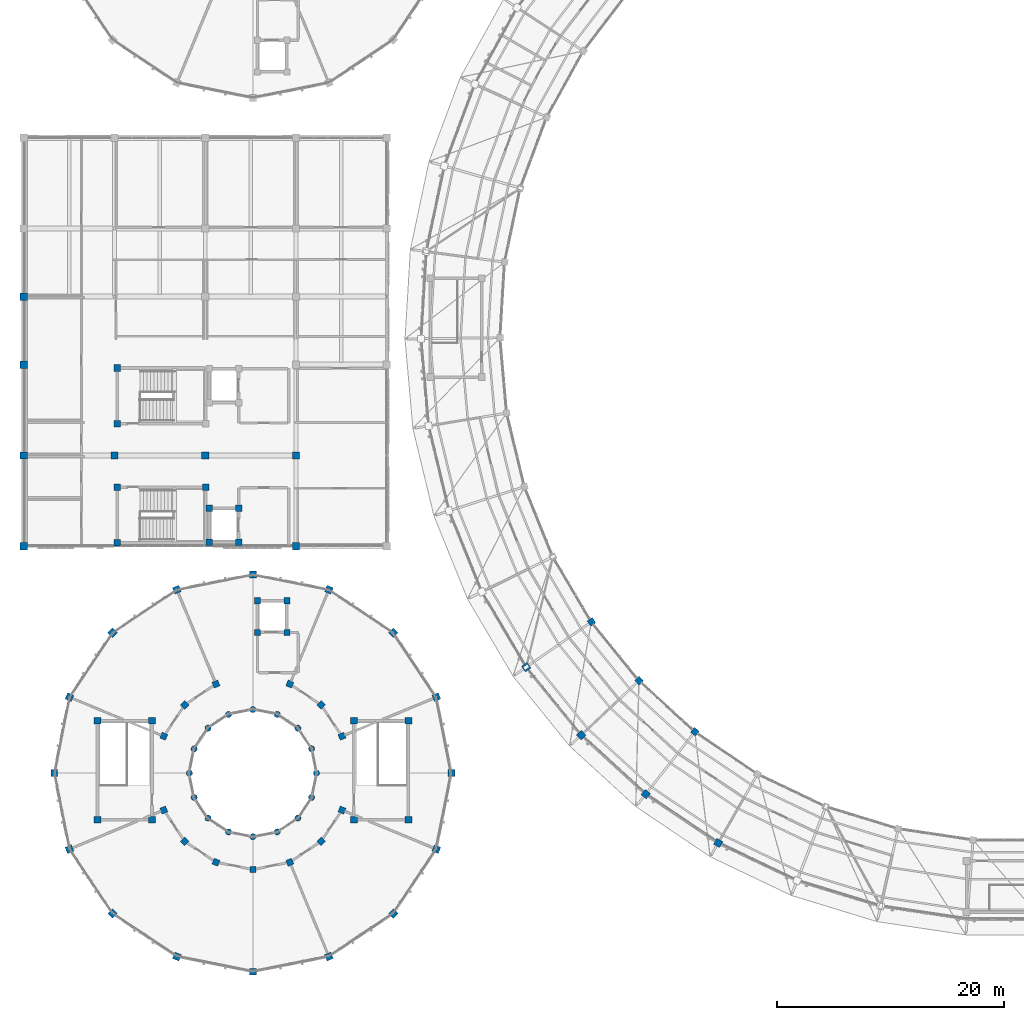
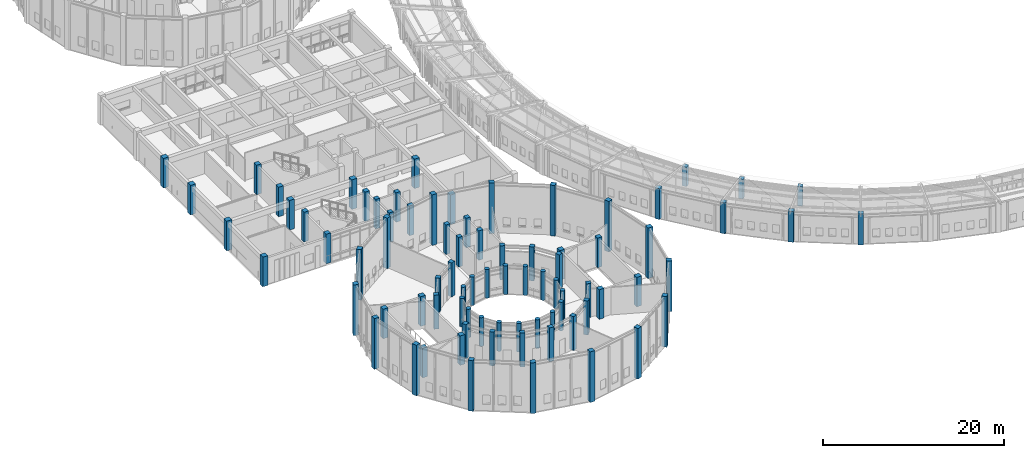
# One storey, part 1 of 149: 81 columns.
"""IFC4 building model written with IfcOpenShell, lengths in metres."""

from ifc_helpers import new_model, si_unit, direction, frame, origin, origin_2d, place, context, subcontext, project, spatial, rectangle, circle, extrude, material, material_profile, profile_set, type_object, element, save


model = new_model("IFC4")

# Units and contexts
model_context = context("Model", 3, precision=1e-05, world=origin(), true_north=direction((0.0, 1.0)))
body_context = subcontext(model_context, "Body", "Model", "MODEL_VIEW")
ifc_project = project(units=[si_unit("LENGTHUNIT", "METRE"), si_unit("AREAUNIT", "SQUARE_METRE"), si_unit("VOLUMEUNIT", "CUBIC_METRE"), si_unit("PLANEANGLEUNIT", "RADIAN"), si_unit("MASSUNIT", "GRAM", prefix="KILO")], contexts=[model_context])

# Site, building, storey
site_placement = place(None, origin())
site = spatial("IfcSite", under=ifc_project, at=site_placement, CompositionType="ELEMENT")
building_placement = place(site_placement, origin())
building = spatial("IfcBuilding", under=site, at=building_placement, Name="Celadon Cloister-Ring School", CompositionType="ELEMENT")
storey_placement = place(building_placement, frame((0.0, 0.0, 12.5)))
storey = spatial("IfcBuildingStorey", under=building, at=storey_placement, Name="L03", CompositionType="ELEMENT", Elevation=12.5)

# Columns
ifc_material_1 = material(Name="Concrete C40/50", Category="concrete")
ifc_material_profile_1 = material_profile(ifc_material_1, rectangle(XDim=0.64990234375, YDim=0.64990234375, at=origin_2d()), Name="RC650X650")
ifc_profile_set_1 = profile_set([ifc_material_profile_1], Name="Concrete C40/50")
column_type_1 = type_object("IfcColumnType", Name="CT-03", PredefinedType="COLUMN", material=ifc_profile_set_1)
for number, where, z_axis, x_axis, name in (
    (1, (16.0, 48.0, 0.0), (0.0, 0.0, 1.0), (1.0, 0.0, 0.0), "Column 1095"),
    (2, (24.0, 48.0, 0.0), (0.0, 0.0, 1.0), (1.0, 0.0, 0.0), "Column 1123"),
    (3, (8.0, 48.0, 0.0), (0.0, 0.0, 1.0), (1.0, 0.0, 0.0), "Column 1180"),
):
    element("IfcColumn", number, at=place(storey_placement, frame(where, z_axis=z_axis, x_axis=x_axis)), inside=storey, type_object=column_type_1, Name=name, PredefinedType="COLUMN", context=body_context, shape_type="SweptSolid", body=[
        extrude(rectangle(XDim=0.64990234375, YDim=0.64990234375, at=origin_2d()), origin(), (0.0, 0.0, 1.0), 4.0),
    ])
ifc_material_2 = material(Name="Concrete C40/50", Category="concrete")
ifc_material_profile_2 = material_profile(ifc_material_2, rectangle(XDim=0.60009765625, YDim=0.60009765625, at=origin_2d()), Name="RC600X600")
ifc_profile_set_2 = profile_set([ifc_material_profile_2], Name="Concrete C40/50")
column_type_2 = type_object("IfcColumnType", Name="CT-04", PredefinedType="COLUMN", material=ifc_profile_set_2)
for number, where, z_axis, x_axis, name in (
    (4, (8.25, 40.300048828125, 0.0), (0.0, 0.0, 1.0), (1.0, 0.0, 0.0), "Column 0126"),
    (5, (16.050048828125, 45.199951171875, 0.0), (0.0, 0.0, 1.0), (1.0, 0.0, 0.0), "Column 0132"),
    (6, (8.25, 45.199951171875, 0.0), (0.0, 0.0, 1.0), (1.0, 0.0, 0.0), "Column 0138"),
    (7, (8.25, 50.800048828125, 0.0), (0.0, 0.0, 1.0), (1.0, 0.0, 0.0), "Column 0144"),
    (8, (8.25, 55.699951171875, 0.0), (0.0, 0.0, 1.0), (1.0, 0.0, 0.0), "Column 0156"),
    (9, (6.5, 15.89990234375, 0.0), (0.0, 0.0, 1.0), (1.0, 0.0, 0.0), "Column 0162"),
    (10, (11.300048828125, 15.89990234375, 0.0), (0.0, 0.0, 1.0), (1.0, 0.0, 0.0), "Column 0166"),
    (11, (11.300048828125, 24.6201171875, 0.0), (0.0, 0.0, 1.0), (1.0, 0.0, 0.0), "Column 0170"),
    (12, (6.5, 24.6201171875, 0.0), (0.0, 0.0, 1.0), (1.0, 0.0, 0.0), "Column 0174"),
    (13, (29.10009765625, 15.89990234375, 0.0), (0.0, 0.0, 1.0), (1.0, 0.0, 0.0), "Column 0178"),
    (14, (33.89990234375, 15.89990234375, 0.0), (0.0, 0.0, 1.0), (1.0, 0.0, 0.0), "Column 0182"),
    (15, (33.89990234375, 24.6201171875, 0.0), (0.0, 0.0, 1.0), (1.0, 0.0, 0.0), "Column 0186"),
    (16, (29.10009765625, 24.6201171875, 0.0), (0.0, 0.0, 1.0), (1.0, 0.0, 0.0), "Column 0190"),
):
    element("IfcColumn", number, at=place(storey_placement, frame(where, z_axis=z_axis, x_axis=x_axis)), inside=storey, type_object=column_type_2, Name=name, PredefinedType="COLUMN", context=body_context, shape_type="SweptSolid", body=[
        extrude(rectangle(XDim=0.60009765625, YDim=0.60009765625, at=origin_2d()), origin(), (0.0, 0.0, 1.0), 4.0),
    ])
ifc_material_3 = material(Name="Concrete C40/50", Category="concrete")
ifc_material_profile_3 = material_profile(ifc_material_3, rectangle(XDim=0.550048828125, YDim=0.550048828125, at=origin_2d()), Name="RC550X550")
ifc_profile_set_3 = profile_set([ifc_material_profile_3], Name="Concrete C40/50")
column_type_3 = type_object("IfcColumnType", Name="CT-05", PredefinedType="COLUMN", material=ifc_profile_set_3)
for number, where, z_axis, x_axis, name in (
    (17, (16.35009765625, 40.35009765625, 0.0), (0.0, 0.0, 1.0), (1.0, 0.0, 0.0), "Column 0215"),
    (18, (18.949951171875, 40.35009765625, 0.0), (0.0, 0.0, 1.0), (1.0, 0.0, 0.0), "Column 0221"),
    (19, (18.949951171875, 43.35009765625, 0.0), (0.0, 0.0, 1.0), (1.0, 0.0, 0.0), "Column 0227"),
    (20, (16.35009765625, 43.35009765625, 0.0), (0.0, 0.0, 1.0), (1.0, 0.0, 0.0), "Column 0233"),
    (21, (20.60009765625, 32.39990234375, 0.0), (0.0, 0.0, 1.0), (1.0, 0.0, 0.0), "Column 0295"),
    (22, (23.199951171875, 32.39990234375, 0.0), (0.0, 0.0, 1.0), (1.0, 0.0, 0.0), "Column 0299"),
    (23, (23.199951171875, 35.199951171875, 0.0), (0.0, 0.0, 1.0), (1.0, 0.0, 0.0), "Column 0303"),
    (24, (20.60009765625, 35.199951171875, 0.0), (0.0, 0.0, 1.0), (1.0, 0.0, 0.0), "Column 0307"),
):
    element("IfcColumn", number, at=place(storey_placement, frame(where, z_axis=z_axis, x_axis=x_axis)), inside=storey, type_object=column_type_3, Name=name, PredefinedType="COLUMN", context=body_context, shape_type="SweptSolid", body=[
        extrude(rectangle(XDim=0.550048828125, YDim=0.550048828125, at=origin_2d()), origin(), (0.0, 0.0, 1.0), 4.0),
    ])
for number, where, z_axis, x_axis, name in (
    (25, (28.052978515625, 23.2529296875, 0.0), (0.0, 0.0, 1.0), (0.923879532511, 0.382683432365, 0.0), "Column 1266"),
    (26, (26.2099609375, 26.010009765625, 0.0), (0.0, 0.0, 1.0), (0.707106781187, 0.707106781187, 0.0), "Column 1270"),
    (27, (23.452880859375, 27.85302734375, 0.0), (0.0, 0.0, 1.0), (0.382683432365, 0.923879532511, 0.0), "Column 1274"),
    (28, (16.947021484375, 27.85302734375, 0.0), (0.0, 0.0, 1.0), (-0.382683432365, 0.923879532511, 0.0), "Column 1278"),
    (29, (14.18994140625, 26.010009765625, 0.0), (0.0, 0.0, 1.0), (-0.707106781187, 0.707106781187, 0.0), "Column 1282"),
    (30, (12.346923828125, 23.2529296875, 0.0), (0.0, 0.0, 1.0), (-0.923879532511, 0.382683432365, 0.0), "Column 1286"),
    (31, (12.346923828125, 16.7470703125, 0.0), (0.0, 0.0, 1.0), (-0.923879532511, -0.382683432365, 0.0), "Column 1290"),
    (32, (14.18994140625, 13.989990234375, 0.0), (0.0, 0.0, 1.0), (-0.707106781187, -0.707106781187, 0.0), "Column 1294"),
    (33, (16.947021484375, 12.14697265625, 0.0), (0.0, 0.0, 1.0), (-0.382683432365, -0.923879532511, 0.0), "Column 1298"),
    (34, (20.199951171875, 11.5, 0.0), (0.0, 0.0, 1.0), (0.0, -1.0, 0.0), "Column 1302"),
    (35, (23.452880859375, 12.14697265625, 0.0), (0.0, 0.0, 1.0), (0.382683432365, -0.923879532511, 0.0), "Column 1306"),
    (36, (26.2099609375, 13.989990234375, 0.0), (0.0, 0.0, 1.0), (0.707106781187, -0.707106781187, 0.0), "Column 1310"),
    (37, (28.052978515625, 16.7470703125, 0.0), (0.0, 0.0, 1.0), (0.923879532511, -0.382683432365, 0.0), "Column 1314"),
):
    element("IfcColumn", number, at=place(storey_placement, frame(where, z_axis=z_axis, x_axis=x_axis)), inside=storey, type_object=column_type_3, Name=name, PredefinedType="COLUMN", context=body_context, shape_type="SweptSolid", body=[
        extrude(rectangle(XDim=0.550048828125, YDim=0.550048828125, at=origin_2d()), origin(), (0.0, 0.0, 1.0), 4.590087890625),
    ])
ifc_material_4 = material(Name="Concrete C40/50", Category="concrete")
ifc_material_profile_4 = material_profile(ifc_material_4, circle(Radius=0.27490234375, at=origin_2d()), Name="CIRC550")
ifc_profile_set_4 = profile_set([ifc_material_profile_4], Name="Concrete C40/50")
column_type_4 = type_object("IfcColumnType", Name="CT-07", PredefinedType="COLUMN", material=ifc_profile_set_4)
for number, where, z_axis, x_axis, name in (
    (38, (25.800048828125, 20.0, 0.0), (0.0, 0.0, 1.0), (1.0, 0.0, 0.0), "Column 1202"),
    (39, (25.3740234375, 22.14306640625, 0.0), (0.0, 0.0, 1.0), (1.0, 0.0, 0.0), "Column 1206"),
    (40, (24.159912109375, 23.9599609375, 0.0), (0.0, 0.0, 1.0), (1.0, 0.0, 0.0), "Column 1210"),
    (41, (22.343017578125, 25.174072265625, 0.0), (0.0, 0.0, 1.0), (1.0, 0.0, 0.0), "Column 1214"),
    (42, (20.199951171875, 25.60009765625, 0.0), (0.0, 0.0, 1.0), (1.0, 0.0, 0.0), "Column 1218"),
    (43, (18.056884765625, 25.174072265625, 0.0), (0.0, 0.0, 1.0), (1.0, 0.0, 0.0), "Column 1222"),
    (44, (16.239990234375, 23.9599609375, 0.0), (0.0, 0.0, 1.0), (1.0, 0.0, 0.0), "Column 1226"),
    (45, (15.02587890625, 22.14306640625, 0.0), (0.0, 0.0, 1.0), (1.0, 0.0, 0.0), "Column 1230"),
    (46, (14.60009765625, 20.0, 0.0), (0.0, 0.0, 1.0), (1.0, 0.0, 0.0), "Column 1234"),
    (47, (15.02587890625, 17.85693359375, 0.0), (0.0, 0.0, 1.0), (1.0, 0.0, 0.0), "Column 1238"),
    (48, (16.239990234375, 16.0400390625, 0.0), (0.0, 0.0, 1.0), (1.0, 0.0, 0.0), "Column 1242"),
    (49, (18.056884765625, 14.825927734375, 0.0), (0.0, 0.0, 1.0), (1.0, 0.0, 0.0), "Column 1246"),
    (50, (20.199951171875, 14.39990234375, 0.0), (0.0, 0.0, 1.0), (1.0, 0.0, 0.0), "Column 1250"),
    (51, (22.343017578125, 14.825927734375, 0.0), (0.0, 0.0, 1.0), (1.0, 0.0, 0.0), "Column 1254"),
    (52, (24.159912109375, 16.0400390625, 0.0), (0.0, 0.0, 1.0), (1.0, 0.0, 0.0), "Column 1258"),
    (53, (25.3740234375, 17.85693359375, 0.0), (0.0, 0.0, 1.0), (1.0, 0.0, 0.0), "Column 1262"),
):
    element("IfcColumn", number, at=place(storey_placement, frame(where, z_axis=z_axis, x_axis=x_axis)), inside=storey, type_object=column_type_4, Name=name, PredefinedType="COLUMN", context=body_context, shape_type="SweptSolid", body=[
        extrude(circle(Radius=0.27490234375, at=origin_2d()), origin(), (0.0, 0.0, 1.0), 3.864990234375),
    ])
ifc_material_5 = material(Name="Concrete C40/50", Category="concrete")
ifc_material_profile_5 = material_profile(ifc_material_5, rectangle(XDim=0.64990234375, YDim=0.64990234375, at=origin_2d()), Name="RC650X650")
ifc_profile_set_5 = profile_set([ifc_material_profile_5], Name="Concrete C40/50")
column_type_5 = type_object("IfcColumnType", Name="CT-22", PredefinedType="COLUMN", material=ifc_profile_set_5)
for number, where, z_axis, x_axis, name in (
    (54, (0.0, 40.0, 0.0), (0.0, 0.0, 1.0), (1.0, 0.0, 0.0), "Column 1061"),
    (55, (0.0, 48.0, 0.0), (0.0, 0.0, 1.0), (1.0, 0.0, 0.0), "Column 1067"),
    (56, (0.0, 56.0, 0.0), (0.0, 0.0, 1.0), (1.0, 0.0, 0.0), "Column 1073"),
    (57, (0.0, 62.0, 0.0), (0.0, 0.0, 1.0), (1.0, 0.0, 0.0), "Column 1079"),
    (58, (24.0, 40.0, 0.0), (0.0, 0.0, 1.0), (1.0, 0.0, 0.0), "Column 1117"),
):
    element("IfcColumn", number, at=place(storey_placement, frame(where, z_axis=z_axis, x_axis=x_axis)), inside=storey, type_object=column_type_5, Name=name, PredefinedType="COLUMN", context=body_context, shape_type="SweptSolid", body=[
        extrude(rectangle(XDim=0.64990234375, YDim=0.64990234375, at=origin_2d()), origin(), (0.0, 0.0, 1.0), 4.0),
    ])
ifc_material_6 = material(Name="Concrete C40/50", Category="concrete")
ifc_material_profile_6 = material_profile(ifc_material_6, rectangle(XDim=0.60009765625, YDim=0.60009765625, at=origin_2d()), Name="RC600X600")
ifc_profile_set_6 = profile_set([ifc_material_profile_6], Name="Concrete C40/50")
column_type_6 = type_object("IfcColumnType", Name="CT-23", PredefinedType="COLUMN", material=ifc_profile_set_6)
for number, where, z_axis, x_axis, name in (
    (59, (44.2880859375, 29.341064453125, 0.0), (0.0, 0.0, 1.0), (-0.821388197028, -0.57036955545, 0.0), "Column 0587"),
    (60, (49.137939453125, 23.35595703125, 0.0), (0.0, 0.0, 1.0), (-0.728107824814, -0.685462614185, 0.0), "Column 0591"),
    (61, (54.820068359375, 18.153076171875, 0.0), (0.0, 0.0, 1.0), (-0.618847204173, -0.785511386224, 0.0), "Column 0595"),
    (62, (61.2080078125, 13.846923828125, 0.0), (0.0, 0.0, 1.0), (-0.496004347874, -0.868320037135, 0.0), "Column 0599"),
):
    element("IfcColumn", number, at=place(storey_placement, frame(where, z_axis=z_axis, x_axis=x_axis)), inside=storey, type_object=column_type_6, Name=name, PredefinedType="COLUMN", context=body_context, shape_type="SweptSolid", body=[
        extrude(rectangle(XDim=0.60009765625, YDim=0.60009765625, at=origin_2d()), origin(), (0.0, 0.0, 1.0), 4.159912109375),
    ])
for number, where, z_axis, x_axis, name in (
    (63, (37.699951171875, 20.0, 0.0), (0.0, 0.0, 1.0), (1.0, 0.0, 0.0), "Column 1318"),
    (64, (36.367919921875, 26.697021484375, 0.0), (0.0, 0.0, 1.0), (0.923879532511, 0.382683432365, 0.0), "Column 1322"),
    (65, (32.573974609375, 32.3740234375, 0.0), (0.0, 0.0, 1.0), (0.707106781187, 0.707106781187, 0.0), "Column 1326"),
    (66, (26.89697265625, 36.16796875, 0.0), (0.0, 0.0, 1.0), (0.382683432365, 0.923879532511, 0.0), "Column 1330"),
    (67, (20.199951171875, 37.5, 0.0), (0.0, 0.0, 1.0), (0.0, 1.0, 0.0), "Column 1334"),
    (68, (13.5029296875, 36.16796875, 0.0), (0.0, 0.0, 1.0), (-0.382683432365, 0.923879532511, 0.0), "Column 1338"),
    (69, (7.825927734375, 32.3740234375, 0.0), (0.0, 0.0, 1.0), (-0.707106781187, 0.707106781187, 0.0), "Column 1342"),
    (70, (4.031982421875, 26.697021484375, 0.0), (0.0, 0.0, 1.0), (-0.923879532511, 0.382683432365, 0.0), "Column 1346"),
    (71, (2.699951171875, 20.0, 0.0), (0.0, 0.0, 1.0), (-1.0, 0.0, 0.0), "Column 1350"),
    (72, (4.031982421875, 13.302978515625, 0.0), (0.0, 0.0, 1.0), (-0.923879532511, -0.382683432365, 0.0), "Column 1354"),
    (73, (7.825927734375, 7.6259765625, 0.0), (0.0, 0.0, 1.0), (-0.707106781187, -0.707106781187, 0.0), "Column 1358"),
    (74, (13.5029296875, 3.83203125, 0.0), (0.0, 0.0, 1.0), (-0.382683432365, -0.923879532511, 0.0), "Column 1362"),
    (75, (20.199951171875, 2.5, 0.0), (0.0, 0.0, 1.0), (0.0, -1.0, 0.0), "Column 1366"),
    (76, (26.89697265625, 3.83203125, 0.0), (0.0, 0.0, 1.0), (0.382683432365, -0.923879532511, 0.0), "Column 1370"),
    (77, (32.573974609375, 7.6259765625, 0.0), (0.0, 0.0, 1.0), (0.707106781187, -0.707106781187, 0.0), "Column 1374"),
    (78, (36.367919921875, 13.302978515625, 0.0), (0.0, 0.0, 1.0), (0.923879532511, -0.382683432365, 0.0), "Column 1378"),
):
    element("IfcColumn", number, at=place(storey_placement, frame(where, z_axis=z_axis, x_axis=x_axis)), inside=storey, type_object=column_type_6, Name=name, PredefinedType="COLUMN", context=body_context, shape_type="SweptSolid", body=[
        extrude(rectangle(XDim=0.60009765625, YDim=0.60009765625, at=origin_2d()), origin(), (0.0, 0.0, 1.0), 6.840087890625),
    ])
ifc_material_7 = material(Name="Concrete C40/50", Category="concrete")
ifc_material_profile_7 = material_profile(ifc_material_7, rectangle(XDim=0.550048828125, YDim=0.550048828125, at=origin_2d()), Name="RC550X550")
ifc_profile_set_7 = profile_set([ifc_material_profile_7], Name="Concrete C40/50")
column_type_7 = type_object("IfcColumnType", Name="CT-24", PredefinedType="COLUMN", material=ifc_profile_set_7)
for number, where, z_axis, x_axis, name in (
    (79, (50.0380859375, 33.3330078125, 0.0), (0.0, 0.0, 1.0), (-0.821388197028, -0.57036955545, 0.0), "Column 0443"),
    (80, (54.235107421875, 28.154052734375, 0.0), (0.0, 0.0, 1.0), (-0.728107824814, -0.685462614185, 0.0), "Column 0447"),
    (81, (59.152099609375, 23.652099609375, 0.0), (0.0, 0.0, 1.0), (-0.618847204173, -0.785511386224, 0.0), "Column 0451"),
):
    element("IfcColumn", number, at=place(storey_placement, frame(where, z_axis=z_axis, x_axis=x_axis)), inside=storey, type_object=column_type_7, Name=name, PredefinedType="COLUMN", context=body_context, shape_type="SweptSolid", body=[
        extrude(rectangle(XDim=0.550048828125, YDim=0.550048828125, at=origin_2d()), origin(), (0.0, 0.0, 1.0), 2.639892578125),
    ])

save(model, "model.ifc")
